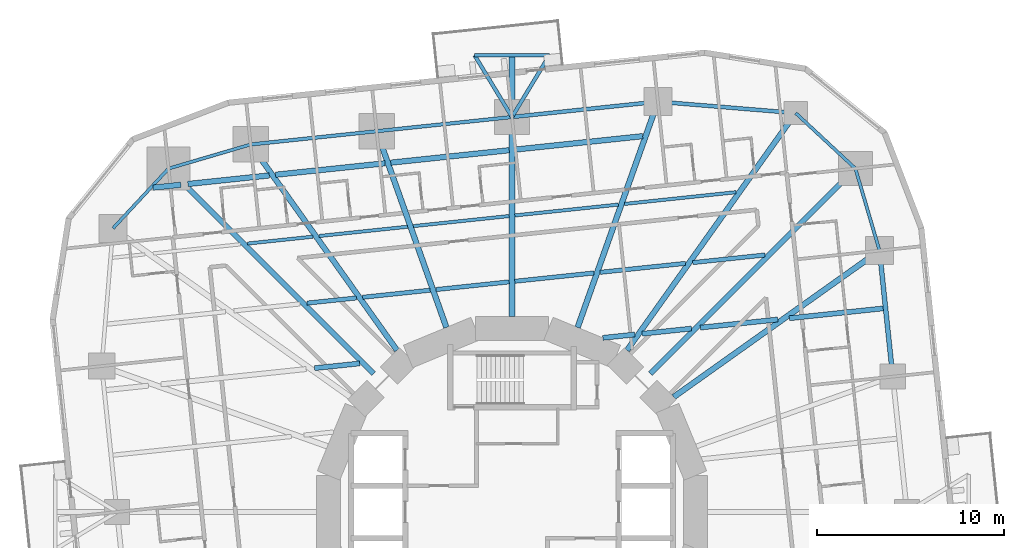
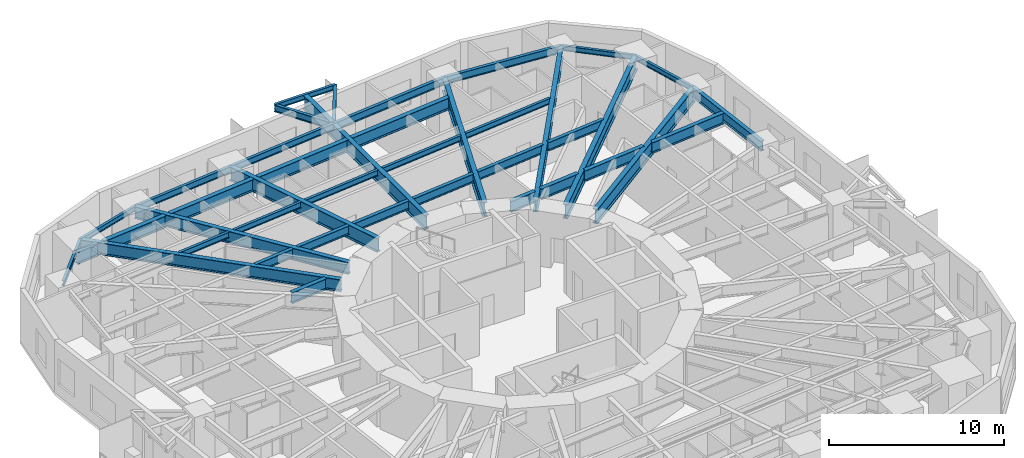
# One storey, part 3 of 13: 41 beams.
"""IFC4 building model written with IfcOpenShell, lengths in metres."""

from ifc_helpers import new_model, si_unit, direction, frame, origin, origin_2d, place, context, subcontext, project, spatial, i_section, extrude, material, material_profile, profile_set, type_object, element, save


model = new_model("IFC4")

# Units and contexts
model_context = context("Model", 3, precision=1e-05, world=origin(), true_north=direction((0.0, 1.0)))
body_context = subcontext(model_context, "Body", "Model", "MODEL_VIEW")
ifc_project = project(units=[si_unit("LENGTHUNIT", "METRE"), si_unit("AREAUNIT", "SQUARE_METRE"), si_unit("VOLUMEUNIT", "CUBIC_METRE"), si_unit("PLANEANGLEUNIT", "RADIAN"), si_unit("MASSUNIT", "GRAM", prefix="KILO")], contexts=[model_context])

# Site, building, storey
site_placement = place(None, origin())
site = spatial("IfcSite", under=ifc_project, at=site_placement, CompositionType="ELEMENT")
building_placement = place(site_placement, origin())
building = spatial("IfcBuilding", under=site, at=building_placement, Name="Nakasero Lantern House", CompositionType="ELEMENT")
storey_placement = place(building_placement, frame((0.0, 0.0, 83.60009765625)))
storey = spatial("IfcBuildingStorey", under=building, at=storey_placement, Name="L20", CompositionType="ELEMENT", Elevation=83.60009765625)

# Beams
ifc_material_1 = material(Name="Steel S355", Category="steel")
ifc_material_profile_1 = material_profile(ifc_material_1, i_section(OverallWidth=0.199462890625, OverallDepth=0.491943359375, WebThickness=0.01806640625, FlangeThickness=0.031982421875, FilletRadius=0.01025390625, at=origin_2d()), Name="UB 457x191x161")
ifc_profile_set_1 = profile_set([ifc_material_profile_1], Name="Steel S355")
beam_type_1 = type_object("IfcBeamType", Name="Balcony splay beam UB 457x191x161", PredefinedType="BEAM", material=ifc_profile_set_1)
for number, where, z_axis, x_axis, name in (
    (1, (0.0, 21.11572265625, 3.40380859375), (-0.518296107317, 0.855201230787, 0.0), (-0.855201230787, -0.518296107317, 0.0), "Balcony splay beam L21 B2-C09A"),
    (2, (0.0, 21.11572265625, 3.40380859375), (0.518296107317, 0.855201230787, 0.0), (-0.855201230787, 0.518296107317, 0.0), "Balcony splay beam L21 B2-C09B"),
):
    element("IfcBeam", number, at=place(storey_placement, frame(where, z_axis=z_axis, x_axis=x_axis)), inside=storey, type_object=beam_type_1, Name=name, PredefinedType="BEAM", context=body_context, shape_type="SweptSolid", body=[
        extrude(i_section(OverallWidth=0.199462890625, OverallDepth=0.491943359375, WebThickness=0.01806640625, FlangeThickness=0.031982421875, FilletRadius=0.01025390625, at=origin_2d()), origin(), (0.0, 0.0, 1.0), 3.85888671875),
    ])
ifc_material_2 = material(Name="Steel S355", Category="steel")
ifc_material_profile_2 = material_profile(ifc_material_2, i_section(OverallWidth=0.17138671875, OverallDepth=0.35498046875, WebThickness=0.00732421875, FlangeThickness=0.011474609375, FilletRadius=0.01025390625, at=origin_2d()), Name="UB 356x171x51")
ifc_profile_set_2 = profile_set([ifc_material_profile_2], Name="Steel S355")
beam_type_2 = type_object("IfcBeamType", Name="Balcony tie beam UB 356x171x51", PredefinedType="BEAM", material=ifc_profile_set_2)
beam_1_placement = place(storey_placement, frame((-2.0, 24.415771484375, 3.472412109375), z_axis=(1.0, 0.0, 0.0), x_axis=(0.0, 1.0, 0.0)))
element("IfcBeam", 3, at=beam_1_placement, inside=storey, type_object=beam_type_2, Name="Balcony tie beam L21 B2-C09", PredefinedType="BEAM", context=body_context, shape_type="SweptSolid", body=[
    extrude(i_section(OverallWidth=0.17138671875, OverallDepth=0.35498046875, WebThickness=0.00732421875, FlangeThickness=0.011474609375, FilletRadius=0.01025390625, at=origin_2d()), origin(), (0.0, 0.0, 1.0), 4.0),
])
ifc_material_3 = material(Name="Steel S355", Category="steel")
ifc_material_profile_3 = material_profile(ifc_material_3, i_section(OverallWidth=0.177978515625, OverallDepth=0.406494140625, WebThickness=0.0078125, FlangeThickness=0.0126953125, FilletRadius=0.01025390625, at=origin_2d()), Name="UB 406x178x60")
ifc_profile_set_3 = profile_set([ifc_material_profile_3], Name="Steel S355")
beam_type_3 = type_object("IfcBeamType", Name="Infill beam UB 406x178x60", PredefinedType="JOIST", material=ifc_profile_set_3)
beam_2_placement = place(storey_placement, frame((-14.1435546875, 14.35009765625, 3.44677734375), z_axis=(0.994521415391, 0.104533029842, 0.0), x_axis=(-0.104533029842, 0.994521415391, 0.0)))
element("IfcBeam", 4, at=beam_2_placement, inside=storey, type_object=beam_type_3, Name="Infill beam L21 12.3", PredefinedType="JOIST", context=body_context, shape_type="SweptSolid", body=[
    extrude(i_section(OverallWidth=0.177978515625, OverallDepth=0.406494140625, WebThickness=0.0078125, FlangeThickness=0.0126953125, FilletRadius=0.01025390625, at=origin_2d()), origin(), (0.0, 0.0, 1.0), 3.517333984375),
])
beam_3_placement = place(storey_placement, frame((-10.3115234375, 14.7529296875, 3.44677734375), z_axis=(0.994523439889, 0.104513767091, 0.0), x_axis=(-0.104513767091, 0.994523439889, 0.0)))
element("IfcBeam", 5, at=beam_3_placement, inside=storey, type_object=beam_type_3, Name="Infill beam L21 12.4", PredefinedType="JOIST", context=body_context, shape_type="SweptSolid", body=[
    extrude(i_section(OverallWidth=0.177978515625, OverallDepth=0.406494140625, WebThickness=0.0078125, FlangeThickness=0.0126953125, FilletRadius=0.01025390625, at=origin_2d()), origin(), (0.0, 0.0, 1.0), 4.756103515625),
])
beam_4_placement = place(storey_placement, frame((-5.2744140625, 15.282470703125, 3.44677734375), z_axis=(0.994522574566, 0.104522000929, 0.0), x_axis=(-0.104522000929, 0.994522574566, 0.0)))
element("IfcBeam", 6, at=beam_4_placement, inside=storey, type_object=beam_type_3, Name="Infill beam L21 12.5", PredefinedType="JOIST", context=body_context, shape_type="SweptSolid", body=[
    extrude(i_section(OverallWidth=0.177978515625, OverallDepth=0.406494140625, WebThickness=0.0078125, FlangeThickness=0.0126953125, FilletRadius=0.01025390625, at=origin_2d()), origin(), (0.0, 0.0, 1.0), 5.15283203125),
])
beam_5_placement = place(storey_placement, frame((0.14990234375, 15.8525390625, 3.44677734375), z_axis=(0.994524188375, 0.104506644464, 0.0), x_axis=(-0.104506644464, 0.994524188375, 0.0)))
element("IfcBeam", 7, at=beam_5_placement, inside=storey, type_object=beam_type_3, Name="Infill beam L21 12.6", PredefinedType="JOIST", context=body_context, shape_type="SweptSolid", body=[
    extrude(i_section(OverallWidth=0.177978515625, OverallDepth=0.406494140625, WebThickness=0.0078125, FlangeThickness=0.0126953125, FilletRadius=0.01025390625, at=origin_2d()), origin(), (0.0, 0.0, 1.0), 5.564697265625),
])
beam_6_placement = place(storey_placement, frame((6.014892578125, 16.468994140625, 3.44677734375), z_axis=(0.994521729164, 0.104530044579, 0.0), x_axis=(-0.104530044579, 0.994521729164, 0.0)))
element("IfcBeam", 8, at=beam_6_placement, inside=storey, type_object=beam_type_3, Name="Infill beam L21 12.7", PredefinedType="JOIST", context=body_context, shape_type="SweptSolid", body=[
    extrude(i_section(OverallWidth=0.177978515625, OverallDepth=0.406494140625, WebThickness=0.0078125, FlangeThickness=0.0126953125, FilletRadius=0.01025390625, at=origin_2d()), origin(), (0.0, 0.0, 1.0), 5.99560546875),
])
ifc_material_4 = material(Name="Steel S355", Category="steel")
ifc_material_profile_4 = material_profile(ifc_material_4, i_section(OverallWidth=0.22900390625, OverallDepth=0.6123046875, WebThickness=0.011962890625, FlangeThickness=0.01953125, FilletRadius=0.0126953125, at=origin_2d()), Name="UB 610x229x125")
ifc_profile_set_4 = profile_set([ifc_material_profile_4], Name="Steel S355")
beam_type_4 = type_object("IfcBeamType", Name="Infill beam UB 610x229x125", PredefinedType="JOIST", material=ifc_profile_set_4)
beam_7_placement = place(storey_placement, frame((-10.958984375, 11.165771484375, 3.34375), z_axis=(0.994526079282, 0.104488648322, 0.0), x_axis=(-0.104488648322, 0.994526079282, 0.0)))
element("IfcBeam", 9, at=beam_7_placement, inside=storey, type_object=beam_type_4, Name="Infill beam L21 11.3", PredefinedType="JOIST", context=body_context, shape_type="SweptSolid", body=[
    extrude(i_section(OverallWidth=0.22900390625, OverallDepth=0.6123046875, WebThickness=0.011962890625, FlangeThickness=0.01953125, FilletRadius=0.0126953125, at=origin_2d()), origin(), (0.0, 0.0, 1.0), 2.65673828125),
])
beam_8_placement = place(storey_placement, frame((-7.983154296875, 11.478515625, 3.34375), z_axis=(0.994523507044, 0.104513128058, 0.0), x_axis=(-0.104513128058, 0.994523507044, 0.0)))
element("IfcBeam", 10, at=beam_8_placement, inside=storey, type_object=beam_type_4, Name="Infill beam L21 11.4", PredefinedType="JOIST", context=body_context, shape_type="SweptSolid", body=[
    extrude(i_section(OverallWidth=0.22900390625, OverallDepth=0.6123046875, WebThickness=0.011962890625, FlangeThickness=0.01953125, FilletRadius=0.0126953125, at=origin_2d()), origin(), (0.0, 0.0, 1.0), 3.627685546875),
])
beam_9_placement = place(storey_placement, frame((-4.068359375, 11.889892578125, 3.34375), z_axis=(0.994521399206, 0.104533183829, 0.0), x_axis=(-0.104533183829, 0.994521399206, 0.0)))
element("IfcBeam", 11, at=beam_9_placement, inside=storey, type_object=beam_type_4, Name="Infill beam L21 11.5", PredefinedType="JOIST", context=body_context, shape_type="SweptSolid", body=[
    extrude(i_section(OverallWidth=0.22900390625, OverallDepth=0.6123046875, WebThickness=0.011962890625, FlangeThickness=0.01953125, FilletRadius=0.0126953125, at=origin_2d()), origin(), (0.0, 0.0, 1.0), 3.93994140625),
])
beam_10_placement = place(storey_placement, frame((0.14990234375, 12.333251953125, 3.34375), z_axis=(0.994521465317, 0.104532554847, 0.0), x_axis=(-0.104532554847, 0.994521465317, 0.0)))
element("IfcBeam", 12, at=beam_10_placement, inside=storey, type_object=beam_type_4, Name="Infill beam L21 11.6", PredefinedType="JOIST", context=body_context, shape_type="SweptSolid", body=[
    extrude(i_section(OverallWidth=0.22900390625, OverallDepth=0.6123046875, WebThickness=0.011962890625, FlangeThickness=0.01953125, FilletRadius=0.0126953125, at=origin_2d()), origin(), (0.0, 0.0, 1.0), 4.2578125),
])
beam_11_placement = place(storey_placement, frame((4.71484375, 12.81298828125, 3.34375), z_axis=(0.994522952874, 0.104518401282, 0.0), x_axis=(-0.104518401282, 0.994522952874, 0.0)))
element("IfcBeam", 13, at=beam_11_placement, inside=storey, type_object=beam_type_4, Name="Infill beam L21 11.7", PredefinedType="JOIST", context=body_context, shape_type="SweptSolid", body=[
    extrude(i_section(OverallWidth=0.22900390625, OverallDepth=0.6123046875, WebThickness=0.011962890625, FlangeThickness=0.01953125, FilletRadius=0.0126953125, at=origin_2d()), origin(), (0.0, 0.0, 1.0), 4.5830078125),
])
beam_12_placement = place(storey_placement, frame((9.66064453125, 13.332763671875, 3.34375), z_axis=(0.99451886442, 0.10455729679, 0.0), x_axis=(-0.10455729679, 0.99451886442, 0.0)))
element("IfcBeam", 14, at=beam_12_placement, inside=storey, type_object=beam_type_4, Name="Infill beam L21 11.8", PredefinedType="JOIST", context=body_context, shape_type="SweptSolid", body=[
    extrude(i_section(OverallWidth=0.22900390625, OverallDepth=0.6123046875, WebThickness=0.011962890625, FlangeThickness=0.01953125, FilletRadius=0.0126953125, at=origin_2d()), origin(), (0.0, 0.0, 1.0), 3.8876953125),
])
ifc_material_5 = material(Name="Steel S355", Category="steel")
ifc_material_profile_5 = material_profile(ifc_material_5, i_section(OverallWidth=0.2666015625, OverallDepth=0.76220703125, WebThickness=0.014404296875, FlangeThickness=0.021484375, FilletRadius=0.0166015625, at=origin_2d()), Name="UB 762x267x173")
ifc_profile_set_5 = profile_set([ifc_material_profile_5], Name="Steel S355")
beam_type_5 = type_object("IfcBeamType", Name="Infill beam UB 762x267x173", PredefinedType="JOIST", material=ifc_profile_set_5)
beam_13_placement = place(storey_placement, frame((-10.5537109375, 7.68896484375, 3.268798828125), z_axis=(0.99452700398, 0.104479846642, 0.0), x_axis=(-0.104479846642, 0.99452700398, 0.0)))
element("IfcBeam", 15, at=beam_13_placement, inside=storey, type_object=beam_type_5, Name="Infill beam L21 10.3", PredefinedType="JOIST", context=body_context, shape_type="SweptSolid", body=[
    extrude(i_section(OverallWidth=0.2666015625, OverallDepth=0.76220703125, WebThickness=0.014404296875, FlangeThickness=0.021484375, FilletRadius=0.0166015625, at=origin_2d()), origin(), (0.0, 0.0, 1.0), 2.41845703125),
])
beam_14_placement = place(storey_placement, frame((4.85498046875, 9.30859375, 3.268798828125), z_axis=(0.994529501552, 0.104456069922, 0.0), x_axis=(-0.104456069922, 0.994529501552, 0.0)))
element("IfcBeam", 16, at=beam_14_placement, inside=storey, type_object=beam_type_5, Name="Infill beam L21 10.4", PredefinedType="JOIST", context=body_context, shape_type="SweptSolid", body=[
    extrude(i_section(OverallWidth=0.2666015625, OverallDepth=0.76220703125, WebThickness=0.014404296875, FlangeThickness=0.021484375, FilletRadius=0.0166015625, at=origin_2d()), origin(), (0.0, 0.0, 1.0), 1.72265625),
])
beam_15_placement = place(storey_placement, frame((6.955810546875, 9.529296875, 3.268798828125), z_axis=(0.994521575627, 0.104531505358, 0.0), x_axis=(-0.104531505358, 0.994521575627, 0.0)))
element("IfcBeam", 17, at=beam_15_placement, inside=storey, type_object=beam_type_5, Name="Infill beam L21 10.5", PredefinedType="JOIST", context=body_context, shape_type="SweptSolid", body=[
    extrude(i_section(OverallWidth=0.2666015625, OverallDepth=0.76220703125, WebThickness=0.014404296875, FlangeThickness=0.021484375, FilletRadius=0.0166015625, at=origin_2d()), origin(), (0.0, 0.0, 1.0), 2.6533203125),
])
beam_16_placement = place(storey_placement, frame((10.068603515625, 9.8564453125, 3.268798828125), z_axis=(0.994519573184, 0.104550555012, 0.0), x_axis=(-0.104550555012, 0.994519573184, 0.0)))
element("IfcBeam", 18, at=beam_16_placement, inside=storey, type_object=beam_type_5, Name="Infill beam L21 10.6", PredefinedType="JOIST", context=body_context, shape_type="SweptSolid", body=[
    extrude(i_section(OverallWidth=0.2666015625, OverallDepth=0.76220703125, WebThickness=0.014404296875, FlangeThickness=0.021484375, FilletRadius=0.0166015625, at=origin_2d()), origin(), (0.0, 0.0, 1.0), 4.166015625),
])
beam_17_placement = place(storey_placement, frame((14.8251953125, 10.3564453125, 3.268798828125), z_axis=(0.994522938326, 0.104518539716, 0.0), x_axis=(-0.104518539716, 0.994522938326, 0.0)))
element("IfcBeam", 19, at=beam_17_placement, inside=storey, type_object=beam_type_5, Name="Infill beam L21 10.7", PredefinedType="JOIST", context=body_context, shape_type="SweptSolid", body=[
    extrude(i_section(OverallWidth=0.2666015625, OverallDepth=0.76220703125, WebThickness=0.014404296875, FlangeThickness=0.021484375, FilletRadius=0.0166015625, at=origin_2d()), origin(), (0.0, 0.0, 1.0), 5.04541015625),
])
ifc_material_6 = material(Name="Steel S355", Category="steel")
ifc_material_profile_6 = material_profile(ifc_material_6, i_section(OverallWidth=0.29248046875, OverallDepth=0.8408203125, WebThickness=0.0146484375, FlangeThickness=0.02685546875, FilletRadius=0.017822265625, at=origin_2d()), Name="UB 838x292x194")
ifc_profile_set_6 = profile_set([ifc_material_profile_6], Name="Steel S355")
beam_type_6 = type_object("IfcBeamType", Name="Infill beam UB 838x292x194", PredefinedType="JOIST", material=ifc_profile_set_6)
beam_18_placement = place(storey_placement, frame((-19.190673828125, 17.339111328125, 3.2294921875), z_axis=(0.994535800288, 0.104396082038, 0.0), x_axis=(-0.104396082038, 0.994535800288, 0.0)))
element("IfcBeam", 20, at=beam_18_placement, inside=storey, type_object=beam_type_6, Name="Infill beam L21 13.1", PredefinedType="JOIST", context=body_context, shape_type="SweptSolid", body=[
    extrude(i_section(OverallWidth=0.29248046875, OverallDepth=0.8408203125, WebThickness=0.0146484375, FlangeThickness=0.02685546875, FilletRadius=0.017822265625, at=origin_2d()), origin(), (0.0, 0.0, 1.0), 1.49658203125),
])
beam_19_placement = place(storey_placement, frame((-17.328125, 17.53466796875, 3.2294921875), z_axis=(0.994518584312, 0.104559961062, 0.0), x_axis=(-0.104559961062, 0.994518584312, 0.0)))
element("IfcBeam", 21, at=beam_19_placement, inside=storey, type_object=beam_type_6, Name="Infill beam L21 13.2", PredefinedType="JOIST", context=body_context, shape_type="SweptSolid", body=[
    extrude(i_section(OverallWidth=0.29248046875, OverallDepth=0.8408203125, WebThickness=0.0146484375, FlangeThickness=0.02685546875, FilletRadius=0.017822265625, at=origin_2d()), origin(), (0.0, 0.0, 1.0), 4.3779296875),
])
beam_20_placement = place(storey_placement, frame((-12.64013671875, 18.027587890625, 3.2294921875), z_axis=(0.994524304789, 0.104505536616, 0.0), x_axis=(-0.104505536616, 0.994524304789, 0.0)))
element("IfcBeam", 22, at=beam_20_placement, inside=storey, type_object=beam_type_6, Name="Infill beam L21 13.3", PredefinedType="JOIST", context=body_context, shape_type="SweptSolid", body=[
    extrude(i_section(OverallWidth=0.29248046875, OverallDepth=0.8408203125, WebThickness=0.0146484375, FlangeThickness=0.02685546875, FilletRadius=0.017822265625, at=origin_2d()), origin(), (0.0, 0.0, 1.0), 5.884765625),
])
beam_21_placement = place(storey_placement, frame((-6.480712890625, 18.6748046875, 3.2294921875), z_axis=(0.994519733917, 0.104549026056, 0.0), x_axis=(-0.104549026056, 0.994519733917, 0.0)))
element("IfcBeam", 23, at=beam_21_placement, inside=storey, type_object=beam_type_6, Name="Infill beam L21 13.4", PredefinedType="JOIST", context=body_context, shape_type="SweptSolid", body=[
    extrude(i_section(OverallWidth=0.29248046875, OverallDepth=0.8408203125, WebThickness=0.0146484375, FlangeThickness=0.02685546875, FilletRadius=0.017822265625, at=origin_2d()), origin(), (0.0, 0.0, 1.0), 6.36572265625),
])
beam_22_placement = place(storey_placement, frame((0.14990234375, 19.371826171875, 3.2294921875), z_axis=(0.994522182542, 0.10452573096, 0.0), x_axis=(-0.10452573096, 0.994522182542, 0.0)))
element("IfcBeam", 24, at=beam_22_placement, inside=storey, type_object=beam_type_6, Name="Infill beam L21 13.5", PredefinedType="JOIST", context=body_context, shape_type="SweptSolid", body=[
    extrude(i_section(OverallWidth=0.29248046875, OverallDepth=0.8408203125, WebThickness=0.0146484375, FlangeThickness=0.02685546875, FilletRadius=0.017822265625, at=origin_2d()), origin(), (0.0, 0.0, 1.0), 6.87158203125),
])
ifc_material_7 = material(Name="Steel S355", Category="steel")
ifc_material_profile_7 = material_profile(ifc_material_7, i_section(OverallWidth=0.300048828125, OverallDepth=0.97998046875, WebThickness=0.0166015625, FlangeThickness=0.02587890625, FilletRadius=0.030029296875, at=origin_2d()), Name="UB 1016x305x249")
ifc_profile_set_7 = profile_set([ifc_material_profile_7], Name="Steel S355")
beam_type_7 = type_object("IfcBeamType", Name="Primary beam UB 1016x305x249, span 12 to 15 m", PredefinedType="BEAM", material=ifc_profile_set_7)
beam_23_placement = place(storey_placement, frame((7.79931640625, 21.935302734375, 3.159912109375), z_axis=(-0.335017564047, -0.942211882636, 0.0), x_axis=(0.942211882636, -0.335017564047, 0.0)))
element("IfcBeam", 25, at=beam_23_placement, inside=storey, type_object=beam_type_7, Name="Primary beam L21 B2-C08", PredefinedType="BEAM", context=body_context, shape_type="SweptSolid", body=[
    extrude(i_section(OverallWidth=0.300048828125, OverallDepth=0.97998046875, WebThickness=0.0166015625, FlangeThickness=0.02587890625, FilletRadius=0.030029296875, at=origin_2d()), origin(), (0.0, 0.0, 1.0), 12.80908203125),
])
ifc_material_8 = material(Name="Steel S355", Category="steel")
ifc_material_profile_8 = material_profile(ifc_material_8, i_section(OverallWidth=0.300048828125, OverallDepth=0.97998046875, WebThickness=0.0166015625, FlangeThickness=0.02587890625, FilletRadius=0.030029296875, at=origin_2d()), Name="UB 1016x305x249")
ifc_profile_set_8 = profile_set([ifc_material_profile_8], Name="Steel S355")
beam_type_8 = type_object("IfcBeamType", Name="Primary beam UB 1016x305x249, span 9 to 12 m", PredefinedType="BEAM", material=ifc_profile_set_8)
beam_24_placement = place(storey_placement, frame((-7.2373046875, 20.35498046875, 3.159912109375), z_axis=(0.335009234979, -0.942214844119, 0.0), x_axis=(0.942214844119, 0.335009234979, 0.0)))
element("IfcBeam", 26, at=beam_24_placement, inside=storey, type_object=beam_type_8, Name="Primary beam L21 B2-C10", PredefinedType="BEAM", context=body_context, shape_type="SweptSolid", body=[
    extrude(i_section(OverallWidth=0.300048828125, OverallDepth=0.97998046875, WebThickness=0.0166015625, FlangeThickness=0.02587890625, FilletRadius=0.030029296875, at=origin_2d()), origin(), (0.0, 0.0, 1.0), 11.1318359375),
])
ifc_material_9 = material(Name="Steel S355", Category="steel")
ifc_material_profile_9 = material_profile(ifc_material_9, i_section(OverallWidth=0.300048828125, OverallDepth=0.989990234375, WebThickness=0.0166015625, FlangeThickness=0.031005859375, FilletRadius=0.030029296875, at=origin_2d()), Name="UB 1016x305x272")
ifc_profile_set_9 = profile_set([ifc_material_profile_9], Name="Steel S355")
beam_type_9 = type_object("IfcBeamType", Name="Primary beam UB 1016x305x272, span over 15 m", PredefinedType="BEAM", material=ifc_profile_set_9)
beam_25_placement = place(storey_placement, frame((18.359375, 18.359375, 3.15478515625), z_axis=(-0.707106781187, -0.707106781187, 0.0), x_axis=(0.707106781187, -0.707106781187, 0.0)))
element("IfcBeam", 27, at=beam_25_placement, inside=storey, type_object=beam_type_9, Name="Primary beam L21 B2-C06", PredefinedType="BEAM", context=body_context, shape_type="SweptSolid", body=[
    extrude(i_section(OverallWidth=0.300048828125, OverallDepth=0.989990234375, WebThickness=0.0166015625, FlangeThickness=0.031005859375, FilletRadius=0.030029296875, at=origin_2d()), origin(), (0.0, 0.0, 1.0), 15.50634765625),
])
ifc_material_10 = material(Name="Steel S355", Category="steel")
ifc_material_profile_10 = material_profile(ifc_material_10, i_section(OverallWidth=0.300048828125, OverallDepth=1.0, WebThickness=0.01904296875, FlangeThickness=0.035888671875, FilletRadius=0.030029296875, at=origin_2d()), Name="UB 1016x305x314")
ifc_profile_set_10 = profile_set([ifc_material_profile_10], Name="Steel S355")
beam_type_10 = type_object("IfcBeamType", Name="Primary beam UB 1016x305x314, span 9 to 12 m", PredefinedType="BEAM", material=ifc_profile_set_10)
beam_26_placement = place(storey_placement, frame((0.0, 24.415771484375, 3.14990234375), z_axis=(0.0, -1.0, 0.0), x_axis=(1.0, 0.0, 0.0)))
element("IfcBeam", 28, at=beam_26_placement, inside=storey, type_object=beam_type_10, Name="Primary beam L21 B2-C09", PredefinedType="BEAM", context=body_context, shape_type="SweptSolid", body=[
    extrude(i_section(OverallWidth=0.300048828125, OverallDepth=1.0, WebThickness=0.01904296875, FlangeThickness=0.035888671875, FilletRadius=0.030029296875, at=origin_2d()), origin(), (0.0, 0.0, 1.0), 13.9580078125),
])
ifc_material_11 = material(Name="Steel S355", Category="steel")
ifc_material_profile_11 = material_profile(ifc_material_11, i_section(OverallWidth=0.302978515625, OverallDepth=1.015869140625, WebThickness=0.0244140625, FlangeThickness=0.0439453125, FilletRadius=0.030029296875, at=origin_2d()), Name="UB 1016x305x393")
ifc_profile_set_11 = profile_set([ifc_material_profile_11], Name="Steel S355")
beam_type_11 = type_object("IfcBeamType", Name="Primary beam UB 1016x305x393, span 12 to 15 m", PredefinedType="BEAM", material=ifc_profile_set_11)
beam_27_placement = place(storey_placement, frame((19.647216796875, 13.971435546875, 3.141845703125), z_axis=(-0.814948492976, -0.579533393168, 0.0), x_axis=(0.579533393168, -0.814948492976, 0.0)))
element("IfcBeam", 29, at=beam_27_placement, inside=storey, type_object=beam_type_11, Name="Primary beam L21 B2-C05", PredefinedType="BEAM", context=body_context, shape_type="SweptSolid", body=[
    extrude(i_section(OverallWidth=0.302978515625, OverallDepth=1.015869140625, WebThickness=0.0244140625, FlangeThickness=0.0439453125, FilletRadius=0.030029296875, at=origin_2d()), origin(), (0.0, 0.0, 1.0), 13.502685546875),
])
ifc_material_12 = material(Name="Steel S355", Category="steel")
ifc_material_profile_12 = material_profile(ifc_material_12, i_section(OverallWidth=0.29248046875, OverallDepth=0.8408203125, WebThickness=0.0146484375, FlangeThickness=0.02685546875, FilletRadius=0.017822265625, at=origin_2d()), Name="UB 838x292x194")
ifc_profile_set_12 = profile_set([ifc_material_profile_12], Name="Steel S355")
beam_type_12 = type_object("IfcBeamType", Name="Primary beam UB 838x292x194, span 12 to 15 m", PredefinedType="BEAM", material=ifc_profile_set_12)
beam_28_placement = place(storey_placement, frame((-13.971435546875, 19.647216796875, 3.2294921875), z_axis=(0.579533393168, -0.814948492976, 0.0), x_axis=(0.814948492976, 0.579533393168, 0.0)))
element("IfcBeam", 30, at=beam_28_placement, inside=storey, type_object=beam_type_12, Name="Primary beam L21 B2-C11", PredefinedType="BEAM", context=body_context, shape_type="SweptSolid", body=[
    extrude(i_section(OverallWidth=0.29248046875, OverallDepth=0.8408203125, WebThickness=0.0146484375, FlangeThickness=0.02685546875, FilletRadius=0.017822265625, at=origin_2d()), origin(), (0.0, 0.0, 1.0), 13.502685546875),
])
ifc_material_13 = material(Name="Steel S355", Category="steel")
ifc_material_profile_13 = material_profile(ifc_material_13, i_section(OverallWidth=0.29248046875, OverallDepth=0.8408203125, WebThickness=0.0146484375, FlangeThickness=0.02685546875, FilletRadius=0.017822265625, at=origin_2d()), Name="UB 838x292x194")
ifc_profile_set_13 = profile_set([ifc_material_profile_13], Name="Steel S355")
beam_type_13 = type_object("IfcBeamType", Name="Primary beam UB 838x292x194, span over 15 m", PredefinedType="BEAM", material=ifc_profile_set_13)
beam_29_placement = place(storey_placement, frame((15.16650390625, 21.327880859375, 3.2294921875), z_axis=(-0.57952911085, -0.814951538239, 0.0), x_axis=(0.814951538239, -0.57952911085, 0.0)))
element("IfcBeam", 31, at=beam_29_placement, inside=storey, type_object=beam_type_13, Name="Primary beam L21 B2-C07", PredefinedType="BEAM", context=body_context, shape_type="SweptSolid", body=[
    extrude(i_section(OverallWidth=0.29248046875, OverallDepth=0.8408203125, WebThickness=0.0146484375, FlangeThickness=0.02685546875, FilletRadius=0.017822265625, at=origin_2d()), origin(), (0.0, 0.0, 1.0), 15.564697265625),
])
beam_30_placement = place(storey_placement, frame((-18.359375, 18.359375, 3.2294921875), z_axis=(0.707106781187, -0.707106781187, 0.0), x_axis=(0.707106781187, 0.707106781187, 0.0)))
element("IfcBeam", 32, at=beam_30_placement, inside=storey, type_object=beam_type_13, Name="Primary beam L21 B2-C12", PredefinedType="BEAM", context=body_context, shape_type="SweptSolid", body=[
    extrude(i_section(OverallWidth=0.29248046875, OverallDepth=0.8408203125, WebThickness=0.0146484375, FlangeThickness=0.02685546875, FilletRadius=0.017822265625, at=origin_2d()), origin(), (0.0, 0.0, 1.0), 15.50634765625),
])
ifc_material_14 = material(Name="Steel S355", Category="steel")
ifc_material_profile_14 = material_profile(ifc_material_14, i_section(OverallWidth=0.17138671875, OverallDepth=0.35498046875, WebThickness=0.00732421875, FlangeThickness=0.011474609375, FilletRadius=0.01025390625, at=origin_2d()), Name="UB 356x171x51")
ifc_profile_set_14 = profile_set([ifc_material_profile_14], Name="Steel S355")
beam_type_14 = type_object("IfcBeamType", Name="Ring beam UB 356x171x51", PredefinedType="BEAM", material=ifc_profile_set_14)
beam_31_placement = place(storey_placement, frame((19.647216796875, 13.971435546875, 3.472412109375), z_axis=(-0.28161710443, 0.959526865957, 0.0), x_axis=(-0.959526865957, -0.28161710443, 0.0)))
element("IfcBeam", 33, at=beam_31_placement, inside=storey, type_object=beam_type_14, Name="Ring beam L21 B2-C05", PredefinedType="BEAM", context=body_context, shape_type="SweptSolid", body=[
    extrude(i_section(OverallWidth=0.17138671875, OverallDepth=0.35498046875, WebThickness=0.00732421875, FlangeThickness=0.011474609375, FilletRadius=0.01025390625, at=origin_2d()), origin(), (0.0, 0.0, 1.0), 4.572998046875),
])
beam_32_placement = place(storey_placement, frame((18.359375, 18.359375, 3.472412109375), z_axis=(-0.732370510336, 0.680906333933, 0.0), x_axis=(-0.680906333933, -0.732370510336, 0.0)))
element("IfcBeam", 34, at=beam_32_placement, inside=storey, type_object=beam_type_14, Name="Ring beam L21 B2-C06", PredefinedType="BEAM", context=body_context, shape_type="SweptSolid", body=[
    extrude(i_section(OverallWidth=0.17138671875, OverallDepth=0.35498046875, WebThickness=0.00732421875, FlangeThickness=0.011474609375, FilletRadius=0.01025390625, at=origin_2d()), origin(), (0.0, 0.0, 1.0), 4.359619140625),
])
beam_33_placement = place(storey_placement, frame((-13.971435546875, 19.647216796875, 3.472412109375), z_axis=(-0.959526865957, -0.28161710443, 0.0), x_axis=(0.28161710443, -0.959526865957, 0.0)))
element("IfcBeam", 35, at=beam_33_placement, inside=storey, type_object=beam_type_14, Name="Ring beam L21 B2-C11", PredefinedType="BEAM", context=body_context, shape_type="SweptSolid", body=[
    extrude(i_section(OverallWidth=0.17138671875, OverallDepth=0.35498046875, WebThickness=0.00732421875, FlangeThickness=0.011474609375, FilletRadius=0.01025390625, at=origin_2d()), origin(), (0.0, 0.0, 1.0), 4.572998046875),
])
beam_34_placement = place(storey_placement, frame((-18.359375, 18.359375, 3.472412109375), z_axis=(-0.680906333933, -0.732370510336, 0.0), x_axis=(0.732370510336, -0.680906333933, 0.0)))
element("IfcBeam", 36, at=beam_34_placement, inside=storey, type_object=beam_type_14, Name="Ring beam L21 B2-C12", PredefinedType="BEAM", context=body_context, shape_type="SweptSolid", body=[
    extrude(i_section(OverallWidth=0.17138671875, OverallDepth=0.35498046875, WebThickness=0.00732421875, FlangeThickness=0.011474609375, FilletRadius=0.01025390625, at=origin_2d()), origin(), (0.0, 0.0, 1.0), 4.359619140625),
])
ifc_material_15 = material(Name="Steel S355", Category="steel")
ifc_material_profile_15 = material_profile(ifc_material_15, i_section(OverallWidth=0.18994140625, OverallDepth=0.453369140625, WebThickness=0.008544921875, FlangeThickness=0.0126953125, FilletRadius=0.01025390625, at=origin_2d()), Name="UB 457x191x67")
ifc_profile_set_15 = profile_set([ifc_material_profile_15], Name="Steel S355")
beam_type_15 = type_object("IfcBeamType", Name="Ring beam UB 457x191x67", PredefinedType="BEAM", material=ifc_profile_set_15)
beam_35_placement = place(storey_placement, frame((-7.2373046875, 20.35498046875, 3.423095703125), z_axis=(-0.994522233155, -0.10452524939, 0.0), x_axis=(0.10452524939, -0.994522233155, 0.0)))
element("IfcBeam", 37, at=beam_35_placement, inside=storey, type_object=beam_type_15, Name="Ring beam L21 B2-C10", PredefinedType="BEAM", context=body_context, shape_type="SweptSolid", body=[
    extrude(i_section(OverallWidth=0.18994140625, OverallDepth=0.453369140625, WebThickness=0.008544921875, FlangeThickness=0.0126953125, FilletRadius=0.01025390625, at=origin_2d()), origin(), (0.0, 0.0, 1.0), 6.771240234375),
])
ifc_material_16 = material(Name="Steel S355", Category="steel")
ifc_material_profile_16 = material_profile(ifc_material_16, i_section(OverallWidth=0.19140625, OverallDepth=0.4599609375, WebThickness=0.010009765625, FlangeThickness=0.01611328125, FilletRadius=0.01025390625, at=origin_2d()), Name="UB 457x191x82")
ifc_profile_set_16 = profile_set([ifc_material_profile_16], Name="Steel S355")
beam_type_16 = type_object("IfcBeamType", Name="Ring beam UB 457x191x82", PredefinedType="BEAM", material=ifc_profile_set_16)
beam_36_placement = place(storey_placement, frame((0.0, 21.11572265625, 3.419921875), z_axis=(-0.994520883746, -0.104538087767, 0.0), x_axis=(0.104538087767, -0.994520883746, 0.0)))
element("IfcBeam", 38, at=beam_36_placement, inside=storey, type_object=beam_type_16, Name="Ring beam L21 B2-C09", PredefinedType="BEAM", context=body_context, shape_type="SweptSolid", body=[
    extrude(i_section(OverallWidth=0.19140625, OverallDepth=0.4599609375, WebThickness=0.010009765625, FlangeThickness=0.01611328125, FilletRadius=0.01025390625, at=origin_2d()), origin(), (0.0, 0.0, 1.0), 7.277099609375),
])
ifc_material_17 = material(Name="Steel S355", Category="steel")
ifc_material_profile_17 = material_profile(ifc_material_17, i_section(OverallWidth=0.208740234375, OverallDepth=0.5283203125, WebThickness=0.009521484375, FlangeThickness=0.01318359375, FilletRadius=0.0126953125, at=origin_2d()), Name="UB 533x210x82")
ifc_profile_set_17 = profile_set([ifc_material_profile_17], Name="Steel S355")
beam_type_17 = type_object("IfcBeamType", Name="Ring beam UB 533x210x82", PredefinedType="BEAM", material=ifc_profile_set_17)
beam_37_placement = place(storey_placement, frame((15.16650390625, 21.327880859375, 3.3857421875), z_axis=(-0.996618261264, 0.08217080574, 0.0), x_axis=(-0.08217080574, -0.996618261264, 0.0)))
element("IfcBeam", 39, at=beam_37_placement, inside=storey, type_object=beam_type_17, Name="Ring beam L21 B2-C07", PredefinedType="BEAM", context=body_context, shape_type="SweptSolid", body=[
    extrude(i_section(OverallWidth=0.208740234375, OverallDepth=0.5283203125, WebThickness=0.009521484375, FlangeThickness=0.01318359375, FilletRadius=0.0126953125, at=origin_2d()), origin(), (0.0, 0.0, 1.0), 7.39208984375),
])
beam_38_placement = place(storey_placement, frame((7.79931640625, 21.935302734375, 3.3857421875), z_axis=(-0.994524030789, -0.104508144098, 0.0), x_axis=(0.104508144098, -0.994524030789, 0.0)))
element("IfcBeam", 40, at=beam_38_placement, inside=storey, type_object=beam_type_17, Name="Ring beam L21 B2-C08", PredefinedType="BEAM", context=body_context, shape_type="SweptSolid", body=[
    extrude(i_section(OverallWidth=0.208740234375, OverallDepth=0.5283203125, WebThickness=0.009521484375, FlangeThickness=0.01318359375, FilletRadius=0.0126953125, at=origin_2d()), origin(), (0.0, 0.0, 1.0), 7.84228515625),
])
ifc_material_18 = material(Name="Steel S355", Category="steel")
ifc_material_profile_18 = material_profile(ifc_material_18, i_section(OverallWidth=0.255859375, OverallDepth=0.69287109375, WebThickness=0.014404296875, FlangeThickness=0.023681640625, FilletRadius=0.01513671875, at=origin_2d()), Name="UB 686x254x170")
ifc_profile_set_18 = profile_set([ifc_material_profile_18], Name="Steel S355")
beam_type_18 = type_object("IfcBeamType", Name="Ring beam UB 686x254x170", PredefinedType="BEAM", material=ifc_profile_set_18)
beam_39_placement = place(storey_placement, frame((20.35498046875, 7.2373046875, 3.303466796875), z_axis=(-0.10452524939, 0.994522233155, 0.0), x_axis=(-0.994522233155, -0.10452524939, 0.0)))
element("IfcBeam", 41, at=beam_39_placement, inside=storey, type_object=beam_type_18, Name="Ring beam L21 B2-C04", PredefinedType="BEAM", context=body_context, shape_type="SweptSolid", body=[
    extrude(i_section(OverallWidth=0.255859375, OverallDepth=0.69287109375, WebThickness=0.014404296875, FlangeThickness=0.023681640625, FilletRadius=0.01513671875, at=origin_2d()), origin(), (0.0, 0.0, 1.0), 6.771240234375),
])

save(model, "model.ifc")
